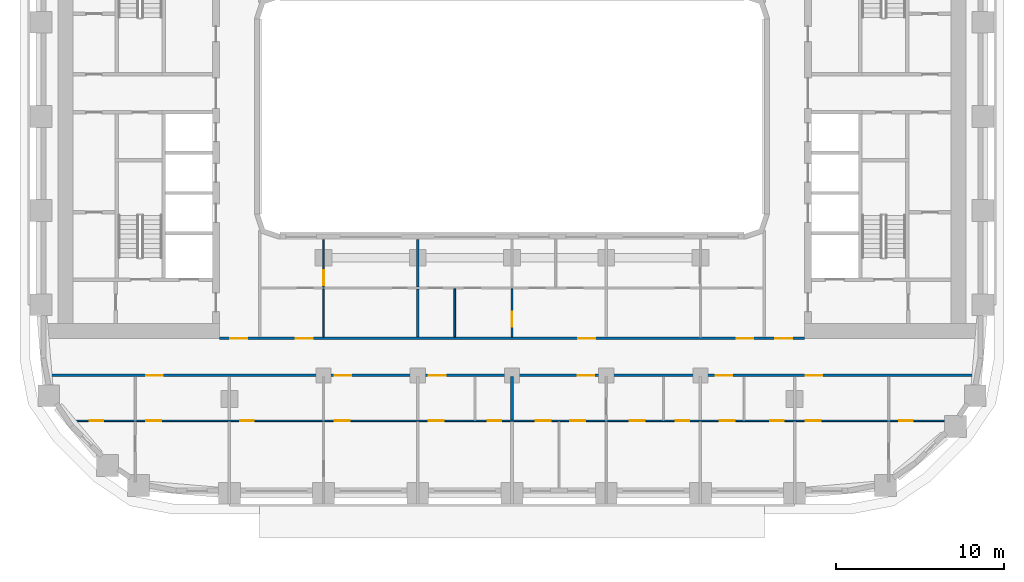
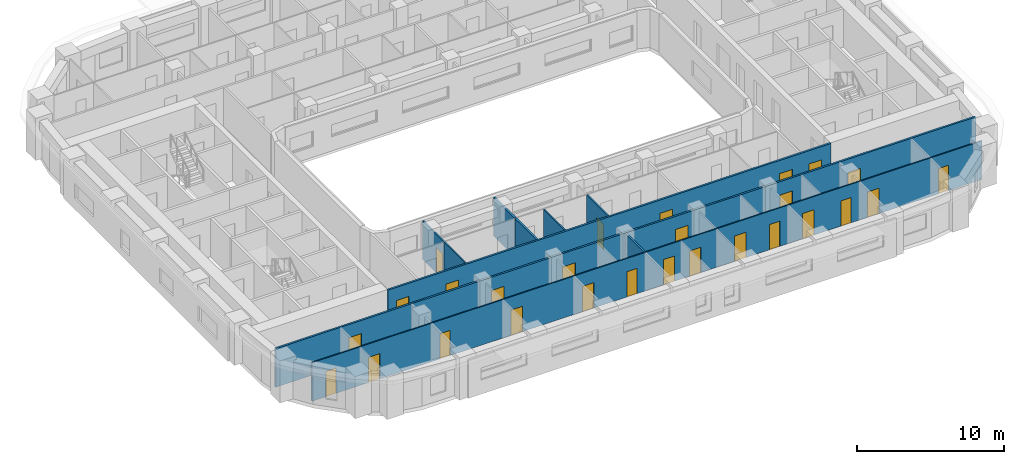
# One storey, part 3 of 21: 27 doors, 10 walls, 27 openings.
"""IFC4 building model written with IfcOpenShell, lengths in metres."""

from ifc_helpers import new_model, si_unit, direction, frame, frame_2d, origin, place, context, subcontext, project, spatial, rectangle, extrude, material, layer, layer_set, type_object, element, fill, save


model = new_model("IFC4")

# Units and contexts
model_context = context("Model", 3, precision=1e-05, world=origin(), true_north=direction((0.0, 1.0)))
body_context = subcontext(model_context, "Body", "Model", "MODEL_VIEW")
ifc_project = project(units=[si_unit("LENGTHUNIT", "METRE"), si_unit("AREAUNIT", "SQUARE_METRE"), si_unit("VOLUMEUNIT", "CUBIC_METRE"), si_unit("PLANEANGLEUNIT", "RADIAN"), si_unit("MASSUNIT", "GRAM", prefix="KILO")], contexts=[model_context])

# Site, building, storey
site_placement = place(None, origin())
site = spatial("IfcSite", under=ifc_project, at=site_placement, CompositionType="ELEMENT")
building_placement = place(site_placement, origin())
building = spatial("IfcBuilding", under=site, at=building_placement, Name="Kiln Ring Residences", CompositionType="ELEMENT")
storey_placement = place(building_placement, frame((0.0, 0.0, 100.800048828125)))
storey = spatial("IfcBuildingStorey", under=building, at=storey_placement, Name="L25", CompositionType="ELEMENT", Elevation=100.800048828125)

# Wall, openings, doors
ifc_material_1 = material(Name="Gypsum board on steel studs", Category="steel")
ifc_layer_1 = layer(ifc_material_1, 0.10009765625)
ifc_layer_set_1 = layer_set([ifc_layer_1], Name="PARTITION-100")
wall_type_1 = type_object("IfcWallType", Name="PARTITION-100", PredefinedType="PARTITIONING", material=ifc_layer_set_1)
wall_1_placement = place(storey_placement, frame((-26.190185546875, -18.10009765625, 0.0), z_axis=(0.0, 0.0, 1.0), x_axis=(1.0, 0.0, 0.0)))
wall_1 = element("IfcWall", 1, at=wall_1_placement, inside=storey, type_object=wall_type_1, Name="Partition 000", PredefinedType="PARTITIONING", context=body_context, shape_type="SweptSolid", body=[
    extrude(rectangle(XDim=52.630126953125, YDim=0.10009765625, at=frame_2d((26.31494140625, 0.0))), origin(), (0.0, 0.0, 1.0), 3.199951171875),
])
opening_1_placement = place(wall_1_placement, frame((1.090087890625, 0.0, 0.0)))
opening_1 = element("IfcOpeningElement", 2, at=opening_1_placement, cuts=wall_1, Name="Opening L25-D058", PredefinedType="OPENING", context=body_context, shape_type="SweptSolid", body=[
    extrude(rectangle(XDim=0.800048828125, YDim=2.10009765625, at=frame_2d((0.39990234375, 1.050048828125))), frame((0.0, 0.06005859375, 0.0), z_axis=(0.0, -1.0, 0.0), x_axis=(1.0, 0.0, 0.0)), (0.0, 0.0, 1.0), 0.1201171875),
])
opening_2_placement = place(wall_1_placement, frame((4.440185546875, 0.0, 0.0)))
opening_2 = element("IfcOpeningElement", 3, at=opening_2_placement, cuts=wall_1, Name="Opening L25-D059", PredefinedType="OPENING", context=body_context, shape_type="SweptSolid", body=[
    extrude(rectangle(XDim=0.89990234375, YDim=2.10009765625, at=frame_2d((0.449951171875, 1.050048828125))), frame((0.0, 0.06005859375, 0.0), z_axis=(0.0, -1.0, 0.0), x_axis=(1.0, 0.0, 0.0)), (0.0, 0.0, 1.0), 0.1201171875),
])
opening_3_placement = place(wall_1_placement, frame((10.0400390625, 0.0, 0.0)))
opening_3 = element("IfcOpeningElement", 4, at=opening_3_placement, cuts=wall_1, Name="Opening L25-D062", PredefinedType="OPENING", context=body_context, shape_type="SweptSolid", body=[
    extrude(rectangle(XDim=0.800048828125, YDim=2.10009765625, at=frame_2d((0.39990234375, 1.050048828125))), frame((0.0, 0.06005859375, 0.0), z_axis=(0.0, -1.0, 0.0), x_axis=(1.0, 0.0, 0.0)), (0.0, 0.0, 1.0), 0.1201171875),
])
opening_4_placement = place(wall_1_placement, frame((15.64013671875, 0.0, 0.0)))
opening_4 = element("IfcOpeningElement", 5, at=opening_4_placement, cuts=wall_1, Name="Opening L25-D063", PredefinedType="OPENING", context=body_context, shape_type="SweptSolid", body=[
    extrude(rectangle(XDim=0.89990234375, YDim=2.10009765625, at=frame_2d((0.449951171875, 1.050048828125))), frame((0.0, 0.06005859375, 0.0), z_axis=(0.0, -1.0, 0.0), x_axis=(1.0, 0.0, 0.0)), (0.0, 0.0, 1.0), 0.1201171875),
])
opening_5_placement = place(wall_1_placement, frame((24.739990234375, 0.0, 0.0)))
opening_5 = element("IfcOpeningElement", 6, at=opening_5_placement, cuts=wall_1, Name="Opening L25-D066", PredefinedType="OPENING", context=body_context, shape_type="SweptSolid", body=[
    extrude(rectangle(XDim=0.800048828125, YDim=2.10009765625, at=frame_2d((0.39990234375, 1.050048828125))), frame((0.0, 0.06005859375, 0.0), z_axis=(0.0, -1.0, 0.0), x_axis=(1.0, 0.0, 0.0)), (0.0, 0.0, 1.0), 0.1201171875),
])
opening_6_placement = place(wall_1_placement, frame((21.239990234375, 0.0, 0.0)))
opening_6 = element("IfcOpeningElement", 7, at=opening_6_placement, cuts=wall_1, Name="Opening L25-D067", PredefinedType="OPENING", context=body_context, shape_type="SweptSolid", body=[
    extrude(rectangle(XDim=0.89990234375, YDim=2.10009765625, at=frame_2d((0.449951171875, 1.050048828125))), frame((0.0, 0.06005859375, 0.0), z_axis=(0.0, -1.0, 0.0), x_axis=(1.0, 0.0, 0.0)), (0.0, 0.0, 1.0), 0.1201171875),
])
opening_7_placement = place(wall_1_placement, frame((35.940185546875, 0.0, 0.0)))
opening_7 = element("IfcOpeningElement", 8, at=opening_7_placement, cuts=wall_1, Name="Opening L25-D070", PredefinedType="OPENING", context=body_context, shape_type="SweptSolid", body=[
    extrude(rectangle(XDim=0.800048828125, YDim=2.10009765625, at=frame_2d((0.39990234375, 1.050048828125))), frame((0.0, 0.06005859375, 0.0), z_axis=(0.0, -1.0, 0.0), x_axis=(1.0, 0.0, 0.0)), (0.0, 0.0, 1.0), 0.1201171875),
])
opening_8_placement = place(wall_1_placement, frame((33.190185546875, 0.0, 0.0)))
opening_8 = element("IfcOpeningElement", 9, at=opening_8_placement, cuts=wall_1, Name="Opening L25-D071", PredefinedType="OPENING", context=body_context, shape_type="SweptSolid", body=[
    extrude(rectangle(XDim=0.89990234375, YDim=2.10009765625, at=frame_2d((0.449951171875, 1.050048828125))), frame((0.0, 0.06005859375, 0.0), z_axis=(0.0, -1.0, 0.0), x_axis=(1.0, 0.0, 0.0)), (0.0, 0.0, 1.0), 0.1201171875),
])
opening_9_placement = place(wall_1_placement, frame((27.590087890625, 0.0, 0.0)))
opening_9 = element("IfcOpeningElement", 10, at=opening_9_placement, cuts=wall_1, Name="Opening L25-D072", PredefinedType="OPENING", context=body_context, shape_type="SweptSolid", body=[
    extrude(rectangle(XDim=0.89990234375, YDim=2.10009765625, at=frame_2d((0.449951171875, 1.050048828125))), frame((0.0, 0.06005859375, 0.0), z_axis=(0.0, -1.0, 0.0), x_axis=(1.0, 0.0, 0.0)), (0.0, 0.0, 1.0), 0.1201171875),
])
opening_10_placement = place(wall_1_placement, frame((29.64013671875, 0.0, 0.0)))
opening_10 = element("IfcOpeningElement", 11, at=opening_10_placement, cuts=wall_1, Name="Opening L25-D073", PredefinedType="OPENING", context=body_context, shape_type="SweptSolid", body=[
    extrude(rectangle(XDim=0.89990234375, YDim=2.10009765625, at=frame_2d((0.449951171875, 1.050048828125))), frame((0.0, 0.06005859375, 0.0), z_axis=(0.0, -1.0, 0.0), x_axis=(1.0, 0.0, 0.0)), (0.0, 0.0, 1.0), 0.1201171875),
])
opening_11_placement = place(wall_1_placement, frame((41.5400390625, 0.0, 0.0)))
opening_11 = element("IfcOpeningElement", 12, at=opening_11_placement, cuts=wall_1, Name="Opening L25-D075", PredefinedType="OPENING", context=body_context, shape_type="SweptSolid", body=[
    extrude(rectangle(XDim=0.800048828125, YDim=2.10009765625, at=frame_2d((0.39990234375, 1.050048828125))), frame((0.0, 0.06005859375, 0.0), z_axis=(0.0, -1.0, 0.0), x_axis=(1.0, 0.0, 0.0)), (0.0, 0.0, 1.0), 0.1201171875),
])
opening_12_placement = place(wall_1_placement, frame((38.5400390625, 0.0, 0.0)))
opening_12 = element("IfcOpeningElement", 13, at=opening_12_placement, cuts=wall_1, Name="Opening L25-D076", PredefinedType="OPENING", context=body_context, shape_type="SweptSolid", body=[
    extrude(rectangle(XDim=0.89990234375, YDim=2.10009765625, at=frame_2d((0.449951171875, 1.050048828125))), frame((0.0, 0.06005859375, 0.0), z_axis=(0.0, -1.0, 0.0), x_axis=(1.0, 0.0, 0.0)), (0.0, 0.0, 1.0), 0.1201171875),
])
opening_13_placement = place(wall_1_placement, frame((49.2041015625, 0.0, 0.0)))
opening_13 = element("IfcOpeningElement", 14, at=opening_13_placement, cuts=wall_1, Name="Opening L25-D078", PredefinedType="OPENING", context=body_context, shape_type="SweptSolid", body=[
    extrude(rectangle(XDim=0.800048828125, YDim=2.10009765625, at=frame_2d((0.39990234375, 1.050048828125))), frame((0.0, 0.06005859375, 0.0), z_axis=(0.0, -1.0, 0.0), x_axis=(1.0, 0.0, 0.0)), (0.0, 0.0, 1.0), 0.1201171875),
])
opening_14_placement = place(wall_1_placement, frame((43.64013671875, 0.0, 0.0)))
opening_14 = element("IfcOpeningElement", 15, at=opening_14_placement, cuts=wall_1, Name="Opening L25-D079", PredefinedType="OPENING", context=body_context, shape_type="SweptSolid", body=[
    extrude(rectangle(XDim=0.89990234375, YDim=2.10009765625, at=frame_2d((0.449951171875, 1.050048828125))), frame((0.0, 0.06005859375, 0.0), z_axis=(0.0, -1.0, 0.0), x_axis=(1.0, 0.0, 0.0)), (0.0, 0.0, 1.0), 0.1201171875),
])
ifc_material_2 = material(Name="Timber door leaf", Category="wood")
door_type_1 = type_object("IfcDoorType", Name="FLAT-DOOR-800-PL", OperationType="SINGLE_SWING_LEFT", PredefinedType="DOOR", material=ifc_material_2)
door_1_placement = place(opening_1_placement, origin())
door_1 = element("IfcDoor", 16, at=door_1_placement, inside=storey, type_object=door_type_1, Name="Door L25-D058", OperationType="SINGLE_SWING_RIGHT", OverallHeight=2.10009765625, OverallWidth=0.800048828125, PredefinedType="DOOR", context=body_context, shape_type="SweptSolid", body=[
    extrude(rectangle(XDim=0.800048828125, YDim=2.10009765625, at=frame_2d((0.39990234375, 1.050048828125))), frame((0.0, 0.02490234375, 0.0), z_axis=(0.0, -1.0, 0.0), x_axis=(1.0, 0.0, 0.0)), (0.0, 0.0, 1.0), 0.050048828125),
])
fill(opening_1, door_1)
door_2_placement = place(opening_3_placement, origin())
door_2 = element("IfcDoor", 17, at=door_2_placement, inside=storey, type_object=door_type_1, Name="Door L25-D062", OperationType="SINGLE_SWING_RIGHT", OverallHeight=2.10009765625, OverallWidth=0.800048828125, PredefinedType="DOOR", context=body_context, shape_type="SweptSolid", body=[
    extrude(rectangle(XDim=0.800048828125, YDim=2.10009765625, at=frame_2d((0.39990234375, 1.050048828125))), frame((0.0, 0.02490234375, 0.0), z_axis=(0.0, -1.0, 0.0), x_axis=(1.0, 0.0, 0.0)), (0.0, 0.0, 1.0), 0.050048828125),
])
fill(opening_3, door_2)
door_3_placement = place(opening_5_placement, origin())
door_3 = element("IfcDoor", 18, at=door_3_placement, inside=storey, type_object=door_type_1, Name="Door L25-D066", OperationType="SINGLE_SWING_RIGHT", OverallHeight=2.10009765625, OverallWidth=0.800048828125, PredefinedType="DOOR", context=body_context, shape_type="SweptSolid", body=[
    extrude(rectangle(XDim=0.800048828125, YDim=2.10009765625, at=frame_2d((0.39990234375, 1.050048828125))), frame((0.0, 0.02490234375, 0.0), z_axis=(0.0, -1.0, 0.0), x_axis=(1.0, 0.0, 0.0)), (0.0, 0.0, 1.0), 0.050048828125),
])
fill(opening_5, door_3)
door_4_placement = place(opening_7_placement, origin())
door_4 = element("IfcDoor", 19, at=door_4_placement, inside=storey, type_object=door_type_1, Name="Door L25-D070", OperationType="SINGLE_SWING_RIGHT", OverallHeight=2.10009765625, OverallWidth=0.800048828125, PredefinedType="DOOR", context=body_context, shape_type="SweptSolid", body=[
    extrude(rectangle(XDim=0.800048828125, YDim=2.10009765625, at=frame_2d((0.39990234375, 1.050048828125))), frame((0.0, 0.02490234375, 0.0), z_axis=(0.0, -1.0, 0.0), x_axis=(1.0, 0.0, 0.0)), (0.0, 0.0, 1.0), 0.050048828125),
])
fill(opening_7, door_4)
door_5_placement = place(opening_11_placement, origin())
door_5 = element("IfcDoor", 20, at=door_5_placement, inside=storey, type_object=door_type_1, Name="Door L25-D075", OperationType="SINGLE_SWING_LEFT", OverallHeight=2.10009765625, OverallWidth=0.800048828125, PredefinedType="DOOR", context=body_context, shape_type="SweptSolid", body=[
    extrude(rectangle(XDim=0.800048828125, YDim=2.10009765625, at=frame_2d((0.39990234375, 1.050048828125))), frame((0.0, 0.02490234375, 0.0), z_axis=(0.0, -1.0, 0.0), x_axis=(1.0, 0.0, 0.0)), (0.0, 0.0, 1.0), 0.050048828125),
])
fill(opening_11, door_5)
door_6_placement = place(opening_13_placement, origin())
door_6 = element("IfcDoor", 21, at=door_6_placement, inside=storey, type_object=door_type_1, Name="Door L25-D078", OperationType="SINGLE_SWING_RIGHT", OverallHeight=2.10009765625, OverallWidth=0.800048828125, PredefinedType="DOOR", context=body_context, shape_type="SweptSolid", body=[
    extrude(rectangle(XDim=0.800048828125, YDim=2.10009765625, at=frame_2d((0.39990234375, 1.050048828125))), frame((0.0, 0.02490234375, 0.0), z_axis=(0.0, -1.0, 0.0), x_axis=(1.0, 0.0, 0.0)), (0.0, 0.0, 1.0), 0.050048828125),
])
fill(opening_13, door_6)
ifc_material_3 = material(Name="Timber door leaf", Category="wood")
door_type_2 = type_object("IfcDoorType", Name="FLAT-DOOR-900-PL", OperationType="SINGLE_SWING_LEFT", PredefinedType="DOOR", material=ifc_material_3)
door_7_placement = place(opening_2_placement, origin())
door_7 = element("IfcDoor", 22, at=door_7_placement, inside=storey, type_object=door_type_2, Name="Door L25-D059", OperationType="SINGLE_SWING_LEFT", OverallHeight=2.10009765625, OverallWidth=0.89990234375, PredefinedType="DOOR", context=body_context, shape_type="SweptSolid", body=[
    extrude(rectangle(XDim=0.89990234375, YDim=2.10009765625, at=frame_2d((0.449951171875, 1.050048828125))), frame((0.0, 0.02490234375, 0.0), z_axis=(0.0, -1.0, 0.0), x_axis=(1.0, 0.0, 0.0)), (0.0, 0.0, 1.0), 0.050048828125),
])
fill(opening_2, door_7)
door_8_placement = place(opening_4_placement, origin())
door_8 = element("IfcDoor", 23, at=door_8_placement, inside=storey, type_object=door_type_2, Name="Door L25-D063", OperationType="SINGLE_SWING_LEFT", OverallHeight=2.10009765625, OverallWidth=0.89990234375, PredefinedType="DOOR", context=body_context, shape_type="SweptSolid", body=[
    extrude(rectangle(XDim=0.89990234375, YDim=2.10009765625, at=frame_2d((0.449951171875, 1.050048828125))), frame((0.0, 0.02490234375, 0.0), z_axis=(0.0, -1.0, 0.0), x_axis=(1.0, 0.0, 0.0)), (0.0, 0.0, 1.0), 0.050048828125),
])
fill(opening_4, door_8)
door_9_placement = place(opening_6_placement, origin())
door_9 = element("IfcDoor", 24, at=door_9_placement, inside=storey, type_object=door_type_2, Name="Door L25-D067", OperationType="SINGLE_SWING_LEFT", OverallHeight=2.10009765625, OverallWidth=0.89990234375, PredefinedType="DOOR", context=body_context, shape_type="SweptSolid", body=[
    extrude(rectangle(XDim=0.89990234375, YDim=2.10009765625, at=frame_2d((0.449951171875, 1.050048828125))), frame((0.0, 0.02490234375, 0.0), z_axis=(0.0, -1.0, 0.0), x_axis=(1.0, 0.0, 0.0)), (0.0, 0.0, 1.0), 0.050048828125),
])
fill(opening_6, door_9)
door_10_placement = place(opening_8_placement, origin())
door_10 = element("IfcDoor", 25, at=door_10_placement, inside=storey, type_object=door_type_2, Name="Door L25-D071", OperationType="SINGLE_SWING_LEFT", OverallHeight=2.10009765625, OverallWidth=0.89990234375, PredefinedType="DOOR", context=body_context, shape_type="SweptSolid", body=[
    extrude(rectangle(XDim=0.89990234375, YDim=2.10009765625, at=frame_2d((0.449951171875, 1.050048828125))), frame((0.0, 0.02490234375, 0.0), z_axis=(0.0, -1.0, 0.0), x_axis=(1.0, 0.0, 0.0)), (0.0, 0.0, 1.0), 0.050048828125),
])
fill(opening_8, door_10)
door_11_placement = place(opening_9_placement, origin())
door_11 = element("IfcDoor", 26, at=door_11_placement, inside=storey, type_object=door_type_2, Name="Door L25-D072", OperationType="SINGLE_SWING_RIGHT", OverallHeight=2.10009765625, OverallWidth=0.89990234375, PredefinedType="DOOR", context=body_context, shape_type="SweptSolid", body=[
    extrude(rectangle(XDim=0.89990234375, YDim=2.10009765625, at=frame_2d((0.449951171875, 1.050048828125))), frame((0.0, 0.02490234375, 0.0), z_axis=(0.0, -1.0, 0.0), x_axis=(1.0, 0.0, 0.0)), (0.0, 0.0, 1.0), 0.050048828125),
])
fill(opening_9, door_11)
door_12_placement = place(opening_10_placement, origin())
door_12 = element("IfcDoor", 27, at=door_12_placement, inside=storey, type_object=door_type_2, Name="Door L25-D073", OperationType="SINGLE_SWING_LEFT", OverallHeight=2.10009765625, OverallWidth=0.89990234375, PredefinedType="DOOR", context=body_context, shape_type="SweptSolid", body=[
    extrude(rectangle(XDim=0.89990234375, YDim=2.10009765625, at=frame_2d((0.449951171875, 1.050048828125))), frame((0.0, 0.02490234375, 0.0), z_axis=(0.0, -1.0, 0.0), x_axis=(1.0, 0.0, 0.0)), (0.0, 0.0, 1.0), 0.050048828125),
])
fill(opening_10, door_12)
door_13_placement = place(opening_12_placement, origin())
door_13 = element("IfcDoor", 28, at=door_13_placement, inside=storey, type_object=door_type_2, Name="Door L25-D076", OperationType="SINGLE_SWING_RIGHT", OverallHeight=2.10009765625, OverallWidth=0.89990234375, PredefinedType="DOOR", context=body_context, shape_type="SweptSolid", body=[
    extrude(rectangle(XDim=0.89990234375, YDim=2.10009765625, at=frame_2d((0.449951171875, 1.050048828125))), frame((0.0, 0.02490234375, 0.0), z_axis=(0.0, -1.0, 0.0), x_axis=(1.0, 0.0, 0.0)), (0.0, 0.0, 1.0), 0.050048828125),
])
fill(opening_12, door_13)
door_14_placement = place(opening_14_placement, origin())
door_14 = element("IfcDoor", 29, at=door_14_placement, inside=storey, type_object=door_type_2, Name="Door L25-D079", OperationType="SINGLE_SWING_LEFT", OverallHeight=2.10009765625, OverallWidth=0.89990234375, PredefinedType="DOOR", context=body_context, shape_type="SweptSolid", body=[
    extrude(rectangle(XDim=0.89990234375, YDim=2.10009765625, at=frame_2d((0.449951171875, 1.050048828125))), frame((0.0, 0.02490234375, 0.0), z_axis=(0.0, -1.0, 0.0), x_axis=(1.0, 0.0, 0.0)), (0.0, 0.0, 1.0), 0.050048828125),
])
fill(opening_14, door_14)

# Wall
wall_2_placement = place(storey_placement, frame((-11.199951171875, -13.125, 0.0), z_axis=(0.0, 0.0, 1.0), x_axis=(0.0, 1.0, 0.0)))
element("IfcWall", 30, at=wall_2_placement, inside=storey, type_object=wall_type_1, Name="Partition 021", PredefinedType="PARTITIONING", context=body_context, shape_type="SweptSolid", body=[
    extrude(rectangle(XDim=2.875, YDim=0.10009765625, at=frame_2d((1.4375, 0.0))), origin(), (0.0, 0.0, 1.0), 3.199951171875),
])

# Wall, opening, door
wall_3_placement = place(storey_placement, frame((-11.199951171875, -10.14990234375, 0.0), z_axis=(0.0, 0.0, 1.0), x_axis=(0.0, 1.0, 0.0)))
wall_3 = element("IfcWall", 31, at=wall_3_placement, inside=storey, type_object=wall_type_1, Name="Partition 022", PredefinedType="PARTITIONING", context=body_context, shape_type="SweptSolid", body=[
    extrude(rectangle(XDim=2.829833984375, YDim=0.10009765625, at=frame_2d((1.4150390625, 0.0))), origin(), (0.0, 0.0, 1.0), 3.199951171875),
])
opening_15_placement = place(wall_3_placement, frame((0.10009765625, 0.0, 0.0)))
opening_15 = element("IfcOpeningElement", 32, at=opening_15_placement, cuts=wall_3, Name="Opening L25-D046", PredefinedType="OPENING", context=body_context, shape_type="SweptSolid", body=[
    extrude(rectangle(XDim=0.89990234375, YDim=2.10009765625, at=frame_2d((0.449951171875, 1.050048828125))), frame((0.0, 0.06005859375, 0.0), z_axis=(0.0, -1.0, 0.0), x_axis=(1.0, 0.0, 0.0)), (0.0, 0.0, 1.0), 0.1201171875),
])
door_15_placement = place(opening_15_placement, origin())
door_15 = element("IfcDoor", 33, at=door_15_placement, inside=storey, type_object=door_type_2, Name="Door L25-D046", OperationType="SINGLE_SWING_LEFT", OverallHeight=2.10009765625, OverallWidth=0.89990234375, PredefinedType="DOOR", context=body_context, shape_type="SweptSolid", body=[
    extrude(rectangle(XDim=0.89990234375, YDim=2.10009765625, at=frame_2d((0.449951171875, 1.050048828125))), frame((0.0, 0.02490234375, 0.0), z_axis=(0.0, -1.0, 0.0), x_axis=(1.0, 0.0, 0.0)), (0.0, 0.0, 1.0), 0.050048828125),
])
fill(opening_15, door_15)

# Wall
wall_4_placement = place(storey_placement, frame((-3.39990234375, -13.125, 0.0), z_axis=(0.0, 0.0, 1.0), x_axis=(0.0, 1.0, 0.0)))
element("IfcWall", 34, at=wall_4_placement, inside=storey, type_object=wall_type_1, Name="Partition 036", PredefinedType="PARTITIONING", context=body_context, shape_type="SweptSolid", body=[
    extrude(rectangle(XDim=2.875, YDim=0.10009765625, at=frame_2d((1.4375, 0.0))), origin(), (0.0, 0.0, 1.0), 3.199951171875),
])

# Wall, opening, door
wall_5_placement = place(storey_placement, frame((0.0, -13.125, 0.0), z_axis=(0.0, 0.0, 1.0), x_axis=(0.0, 1.0, 0.0)))
wall_5 = element("IfcWall", 35, at=wall_5_placement, inside=storey, type_object=wall_type_1, Name="Partition 040", PredefinedType="PARTITIONING", context=body_context, shape_type="SweptSolid", body=[
    extrude(rectangle(XDim=2.875, YDim=0.10009765625, at=frame_2d((1.4375, 0.0))), origin(), (0.0, 0.0, 1.0), 3.199951171875),
])
opening_16_placement = place(wall_5_placement, frame((0.625, 0.0, 0.0)))
opening_16 = element("IfcOpeningElement", 36, at=opening_16_placement, cuts=wall_5, Name="Opening L25-D048", PredefinedType="OPENING", context=body_context, shape_type="SweptSolid", body=[
    extrude(rectangle(XDim=0.89990234375, YDim=2.10009765625, at=frame_2d((0.449951171875, 1.050048828125))), frame((0.0, 0.06005859375, 0.0), z_axis=(0.0, -1.0, 0.0), x_axis=(1.0, 0.0, 0.0)), (0.0, 0.0, 1.0), 0.1201171875),
])
door_16_placement = place(opening_16_placement, origin())
door_16 = element("IfcDoor", 37, at=door_16_placement, inside=storey, type_object=door_type_2, Name="Door L25-D048", OperationType="SINGLE_SWING_RIGHT", OverallHeight=2.10009765625, OverallWidth=0.89990234375, PredefinedType="DOOR", context=body_context, shape_type="SweptSolid", body=[
    extrude(rectangle(XDim=0.89990234375, YDim=2.10009765625, at=frame_2d((0.449951171875, 1.050048828125))), frame((0.0, 0.02490234375, 0.0), z_axis=(0.0, -1.0, 0.0), x_axis=(1.0, 0.0, 0.0)), (0.0, 0.0, 1.0), 0.050048828125),
])
fill(opening_16, door_16)

# Wall, openings, doors
ifc_material_4 = material(Name="Brick masonry partition", Category="masonry")
ifc_layer_2 = layer(ifc_material_4, 0.14990234375)
ifc_layer_set_2 = layer_set([ifc_layer_2], Name="PARTITION-150-ei60")
wall_type_2 = type_object("IfcWallType", Name="PARTITION-150-ei60", PredefinedType="PARTITIONING", material=ifc_layer_set_2)
wall_6_placement = place(storey_placement, frame((-27.48388671875, -15.39990234375, 0.0), z_axis=(0.0, 0.0, 1.0), x_axis=(1.0, 0.0, 0.0)))
wall_6 = element("IfcWall", 38, at=wall_6_placement, inside=storey, type_object=wall_type_2, Name="Partition 001", PredefinedType="PARTITIONING", context=body_context, shape_type="SweptSolid", body=[
    extrude(rectangle(XDim=54.9677734375, YDim=0.14990234375, at=frame_2d((27.48388671875, 0.0))), origin(), (0.0, 0.0, 1.0), 3.199951171875),
])
opening_17_placement = place(wall_6_placement, frame((5.73388671875, 0.0, 0.0)))
opening_17 = element("IfcOpeningElement", 39, at=opening_17_placement, cuts=wall_6, Name="Opening L25-D057", PredefinedType="OPENING", context=body_context, shape_type="SweptSolid", body=[
    extrude(rectangle(XDim=1.0, YDim=2.10009765625, at=frame_2d((0.5, 1.050048828125))), frame((0.0, 0.0849609375, 0.0), z_axis=(0.0, -1.0, 0.0), x_axis=(1.0, 0.0, 0.0)), (0.0, 0.0, 1.0), 0.169921875),
])
opening_18_placement = place(wall_6_placement, frame((16.933837890625, 0.0, 0.0)))
opening_18 = element("IfcOpeningElement", 40, at=opening_18_placement, cuts=wall_6, Name="Opening L25-D061", PredefinedType="OPENING", context=body_context, shape_type="SweptSolid", body=[
    extrude(rectangle(XDim=1.0, YDim=2.10009765625, at=frame_2d((0.5, 1.050048828125))), frame((0.0, 0.0849609375, 0.0), z_axis=(0.0, -1.0, 0.0), x_axis=(1.0, 0.0, 0.0)), (0.0, 0.0, 1.0), 0.169921875),
])
opening_19_placement = place(wall_6_placement, frame((22.53369140625, 0.0, 0.0)))
opening_19 = element("IfcOpeningElement", 41, at=opening_19_placement, cuts=wall_6, Name="Opening L25-D065", PredefinedType="OPENING", context=body_context, shape_type="SweptSolid", body=[
    extrude(rectangle(XDim=1.0, YDim=2.10009765625, at=frame_2d((0.5, 1.050048828125))), frame((0.0, 0.0849609375, 0.0), z_axis=(0.0, -1.0, 0.0), x_axis=(1.0, 0.0, 0.0)), (0.0, 0.0, 1.0), 0.169921875),
])
opening_20_placement = place(wall_6_placement, frame((31.3837890625, 0.0, 0.0)))
opening_20 = element("IfcOpeningElement", 42, at=opening_20_placement, cuts=wall_6, Name="Opening L25-D068", PredefinedType="OPENING", context=body_context, shape_type="SweptSolid", body=[
    extrude(rectangle(XDim=1.0, YDim=2.10009765625, at=frame_2d((0.5, 1.050048828125))), frame((0.0, 0.0849609375, 0.0), z_axis=(0.0, -1.0, 0.0), x_axis=(1.0, 0.0, 0.0)), (0.0, 0.0, 1.0), 0.169921875),
])
opening_21_placement = place(wall_6_placement, frame((39.583740234375, 0.0, 0.0)))
opening_21 = element("IfcOpeningElement", 43, at=opening_21_placement, cuts=wall_6, Name="Opening L25-D074", PredefinedType="OPENING", context=body_context, shape_type="SweptSolid", body=[
    extrude(rectangle(XDim=1.0, YDim=2.10009765625, at=frame_2d((0.5, 1.050048828125))), frame((0.0, 0.0849609375, 0.0), z_axis=(0.0, -1.0, 0.0), x_axis=(1.0, 0.0, 0.0)), (0.0, 0.0, 1.0), 0.169921875),
])
opening_22_placement = place(wall_6_placement, frame((44.933837890625, 0.0, 0.0)))
opening_22 = element("IfcOpeningElement", 44, at=opening_22_placement, cuts=wall_6, Name="Opening L25-D077", PredefinedType="OPENING", context=body_context, shape_type="SweptSolid", body=[
    extrude(rectangle(XDim=1.0, YDim=2.10009765625, at=frame_2d((0.5, 1.050048828125))), frame((0.0, 0.0849609375, 0.0), z_axis=(0.0, -1.0, 0.0), x_axis=(1.0, 0.0, 0.0)), (0.0, 0.0, 1.0), 0.169921875),
])
ifc_material_5 = material(Name="Steel faced fire door leaf", Category="steel")
door_type_3 = type_object("IfcDoorType", Name="FLAT-DOOR-1000-FR", OperationType="SINGLE_SWING_LEFT", PredefinedType="DOOR", material=ifc_material_5)
door_17_placement = place(opening_17_placement, origin())
door_17 = element("IfcDoor", 45, at=door_17_placement, inside=storey, type_object=door_type_3, Name="Door L25-D057", OperationType="SINGLE_SWING_LEFT", OverallHeight=2.10009765625, OverallWidth=1.0, PredefinedType="DOOR", context=body_context, shape_type="SweptSolid", body=[
    extrude(rectangle(XDim=1.0, YDim=2.10009765625, at=frame_2d((0.5, 1.050048828125))), frame((0.0, 0.02490234375, 0.0), z_axis=(0.0, -1.0, 0.0), x_axis=(1.0, 0.0, 0.0)), (0.0, 0.0, 1.0), 0.050048828125),
])
fill(opening_17, door_17)
door_18_placement = place(opening_18_placement, origin())
door_18 = element("IfcDoor", 46, at=door_18_placement, inside=storey, type_object=door_type_3, Name="Door L25-D061", OperationType="SINGLE_SWING_LEFT", OverallHeight=2.10009765625, OverallWidth=1.0, PredefinedType="DOOR", context=body_context, shape_type="SweptSolid", body=[
    extrude(rectangle(XDim=1.0, YDim=2.10009765625, at=frame_2d((0.5, 1.050048828125))), frame((0.0, 0.02490234375, 0.0), z_axis=(0.0, -1.0, 0.0), x_axis=(1.0, 0.0, 0.0)), (0.0, 0.0, 1.0), 0.050048828125),
])
fill(opening_18, door_18)
door_19_placement = place(opening_19_placement, origin())
door_19 = element("IfcDoor", 47, at=door_19_placement, inside=storey, type_object=door_type_3, Name="Door L25-D065", OperationType="SINGLE_SWING_LEFT", OverallHeight=2.10009765625, OverallWidth=1.0, PredefinedType="DOOR", context=body_context, shape_type="SweptSolid", body=[
    extrude(rectangle(XDim=1.0, YDim=2.10009765625, at=frame_2d((0.5, 1.050048828125))), frame((0.0, 0.02490234375, 0.0), z_axis=(0.0, -1.0, 0.0), x_axis=(1.0, 0.0, 0.0)), (0.0, 0.0, 1.0), 0.050048828125),
])
fill(opening_19, door_19)
door_20_placement = place(opening_20_placement, origin())
door_20 = element("IfcDoor", 48, at=door_20_placement, inside=storey, type_object=door_type_3, Name="Door L25-D068", OperationType="SINGLE_SWING_RIGHT", OverallHeight=2.10009765625, OverallWidth=1.0, PredefinedType="DOOR", context=body_context, shape_type="SweptSolid", body=[
    extrude(rectangle(XDim=1.0, YDim=2.10009765625, at=frame_2d((0.5, 1.050048828125))), frame((0.0, 0.02490234375, 0.0), z_axis=(0.0, -1.0, 0.0), x_axis=(1.0, 0.0, 0.0)), (0.0, 0.0, 1.0), 0.050048828125),
])
fill(opening_20, door_20)
door_21_placement = place(opening_21_placement, origin())
door_21 = element("IfcDoor", 49, at=door_21_placement, inside=storey, type_object=door_type_3, Name="Door L25-D074", OperationType="SINGLE_SWING_RIGHT", OverallHeight=2.10009765625, OverallWidth=1.0, PredefinedType="DOOR", context=body_context, shape_type="SweptSolid", body=[
    extrude(rectangle(XDim=1.0, YDim=2.10009765625, at=frame_2d((0.5, 1.050048828125))), frame((0.0, 0.02490234375, 0.0), z_axis=(0.0, -1.0, 0.0), x_axis=(1.0, 0.0, 0.0)), (0.0, 0.0, 1.0), 0.050048828125),
])
fill(opening_21, door_21)
door_22_placement = place(opening_22_placement, origin())
door_22 = element("IfcDoor", 50, at=door_22_placement, inside=storey, type_object=door_type_3, Name="Door L25-D077", OperationType="SINGLE_SWING_LEFT", OverallHeight=2.10009765625, OverallWidth=1.0, PredefinedType="DOOR", context=body_context, shape_type="SweptSolid", body=[
    extrude(rectangle(XDim=1.0, YDim=2.10009765625, at=frame_2d((0.5, 1.050048828125))), frame((0.0, 0.02490234375, 0.0), z_axis=(0.0, -1.0, 0.0), x_axis=(1.0, 0.0, 0.0)), (0.0, 0.0, 1.0), 0.050048828125),
])
fill(opening_22, door_22)

wall_7_placement = place(storey_placement, frame((-17.39990234375, -13.199951171875, 0.0), z_axis=(0.0, 0.0, 1.0), x_axis=(1.0, 0.0, 0.0)))
wall_7 = element("IfcWall", 51, at=wall_7_placement, inside=storey, type_object=wall_type_2, Name="Partition 002", PredefinedType="PARTITIONING", context=body_context, shape_type="SweptSolid", body=[
    extrude(rectangle(XDim=34.7998046875, YDim=0.14990234375, at=frame_2d((17.39990234375, 0.0))), origin(), (0.0, 0.0, 1.0), 3.199951171875),
])
opening_23_placement = place(wall_7_placement, frame((0.64990234375, 0.0, 0.0)))
opening_23 = element("IfcOpeningElement", 52, at=opening_23_placement, cuts=wall_7, Name="Opening L25-D003", PredefinedType="OPENING", context=body_context, shape_type="SweptSolid", body=[
    extrude(rectangle(XDim=1.0, YDim=2.10009765625, at=frame_2d((0.5, 1.050048828125))), frame((0.0, 0.0849609375, 0.0), z_axis=(0.0, -1.0, 0.0), x_axis=(1.0, 0.0, 0.0)), (0.0, 0.0, 1.0), 0.169921875),
])
opening_24_placement = place(wall_7_placement, frame((33.050048828125, 0.0, 0.0)))
opening_24 = element("IfcOpeningElement", 53, at=opening_24_placement, cuts=wall_7, Name="Opening L25-D004", PredefinedType="OPENING", context=body_context, shape_type="SweptSolid", body=[
    extrude(rectangle(XDim=1.0, YDim=2.10009765625, at=frame_2d((0.5, 1.050048828125))), frame((0.0, 0.0849609375, 0.0), z_axis=(0.0, -1.0, 0.0), x_axis=(1.0, 0.0, 0.0)), (0.0, 0.0, 1.0), 0.169921875),
])
opening_25_placement = place(wall_7_placement, frame((4.550048828125, 0.0, 0.0)))
opening_25 = element("IfcOpeningElement", 54, at=opening_25_placement, cuts=wall_7, Name="Opening L25-D043", PredefinedType="OPENING", context=body_context, shape_type="SweptSolid", body=[
    extrude(rectangle(XDim=1.0, YDim=2.10009765625, at=frame_2d((0.5, 1.050048828125))), frame((0.0, 0.0849609375, 0.0), z_axis=(0.0, -1.0, 0.0), x_axis=(1.0, 0.0, 0.0)), (0.0, 0.0, 1.0), 0.169921875),
])
opening_26_placement = place(wall_7_placement, frame((21.35009765625, 0.0, 0.0)))
opening_26 = element("IfcOpeningElement", 55, at=opening_26_placement, cuts=wall_7, Name="Opening L25-D047", PredefinedType="OPENING", context=body_context, shape_type="SweptSolid", body=[
    extrude(rectangle(XDim=1.0, YDim=2.10009765625, at=frame_2d((0.5, 1.050048828125))), frame((0.0, 0.0849609375, 0.0), z_axis=(0.0, -1.0, 0.0), x_axis=(1.0, 0.0, 0.0)), (0.0, 0.0, 1.0), 0.169921875),
])
opening_27_placement = place(wall_7_placement, frame((30.75, 0.0, 0.0)))
opening_27 = element("IfcOpeningElement", 56, at=opening_27_placement, cuts=wall_7, Name="Opening L25-D053", PredefinedType="OPENING", context=body_context, shape_type="SweptSolid", body=[
    extrude(rectangle(XDim=1.0, YDim=2.10009765625, at=frame_2d((0.5, 1.050048828125))), frame((0.0, 0.0849609375, 0.0), z_axis=(0.0, -1.0, 0.0), x_axis=(1.0, 0.0, 0.0)), (0.0, 0.0, 1.0), 0.169921875),
])
door_23_placement = place(opening_23_placement, origin())
door_23 = element("IfcDoor", 57, at=door_23_placement, inside=storey, type_object=door_type_3, Name="Door L25-D003", OperationType="SINGLE_SWING_RIGHT", OverallHeight=2.10009765625, OverallWidth=1.0, PredefinedType="DOOR", context=body_context, shape_type="SweptSolid", body=[
    extrude(rectangle(XDim=1.0, YDim=2.10009765625, at=frame_2d((0.5, 1.050048828125))), frame((0.0, 0.02490234375, 0.0), z_axis=(0.0, -1.0, 0.0), x_axis=(1.0, 0.0, 0.0)), (0.0, 0.0, 1.0), 0.050048828125),
])
fill(opening_23, door_23)
door_24_placement = place(opening_24_placement, origin())
door_24 = element("IfcDoor", 58, at=door_24_placement, inside=storey, type_object=door_type_3, Name="Door L25-D004", OperationType="SINGLE_SWING_LEFT", OverallHeight=2.10009765625, OverallWidth=1.0, PredefinedType="DOOR", context=body_context, shape_type="SweptSolid", body=[
    extrude(rectangle(XDim=1.0, YDim=2.10009765625, at=frame_2d((0.5, 1.050048828125))), frame((0.0, 0.02490234375, 0.0), z_axis=(0.0, -1.0, 0.0), x_axis=(1.0, 0.0, 0.0)), (0.0, 0.0, 1.0), 0.050048828125),
])
fill(opening_24, door_24)
door_25_placement = place(opening_25_placement, origin())
door_25 = element("IfcDoor", 59, at=door_25_placement, inside=storey, type_object=door_type_3, Name="Door L25-D043", OperationType="SINGLE_SWING_LEFT", OverallHeight=2.10009765625, OverallWidth=1.0, PredefinedType="DOOR", context=body_context, shape_type="SweptSolid", body=[
    extrude(rectangle(XDim=1.0, YDim=2.10009765625, at=frame_2d((0.5, 1.050048828125))), frame((0.0, 0.02490234375, 0.0), z_axis=(0.0, -1.0, 0.0), x_axis=(1.0, 0.0, 0.0)), (0.0, 0.0, 1.0), 0.050048828125),
])
fill(opening_25, door_25)
door_26_placement = place(opening_26_placement, origin())
door_26 = element("IfcDoor", 60, at=door_26_placement, inside=storey, type_object=door_type_3, Name="Door L25-D047", OperationType="SINGLE_SWING_LEFT", OverallHeight=2.10009765625, OverallWidth=1.0, PredefinedType="DOOR", context=body_context, shape_type="SweptSolid", body=[
    extrude(rectangle(XDim=1.0, YDim=2.10009765625, at=frame_2d((0.5, 1.050048828125))), frame((0.0, 0.02490234375, 0.0), z_axis=(0.0, -1.0, 0.0), x_axis=(1.0, 0.0, 0.0)), (0.0, 0.0, 1.0), 0.050048828125),
])
fill(opening_26, door_26)
door_27_placement = place(opening_27_placement, origin())
door_27 = element("IfcDoor", 61, at=door_27_placement, inside=storey, type_object=door_type_3, Name="Door L25-D053", OperationType="SINGLE_SWING_LEFT", OverallHeight=2.10009765625, OverallWidth=1.0, PredefinedType="DOOR", context=body_context, shape_type="SweptSolid", body=[
    extrude(rectangle(XDim=1.0, YDim=2.10009765625, at=frame_2d((0.5, 1.050048828125))), frame((0.0, 0.02490234375, 0.0), z_axis=(0.0, -1.0, 0.0), x_axis=(1.0, 0.0, 0.0)), (0.0, 0.0, 1.0), 0.050048828125),
])
fill(opening_27, door_27)

# Walls
wall_8_placement = place(storey_placement, frame((-5.60009765625, -13.125, 0.0), z_axis=(0.0, 0.0, 1.0), x_axis=(0.0, 1.0, 0.0)))
element("IfcWall", 62, at=wall_8_placement, inside=storey, type_object=wall_type_2, Name="Partition 030", PredefinedType="PARTITIONING", context=body_context, shape_type="SweptSolid", body=[
    extrude(rectangle(XDim=2.875, YDim=0.14990234375, at=frame_2d((1.4375, 0.0))), origin(), (0.0, 0.0, 1.0), 3.199951171875),
])
wall_9_placement = place(storey_placement, frame((-5.60009765625, -10.14990234375, 0.0), z_axis=(0.0, 0.0, 1.0), x_axis=(0.0, 1.0, 0.0)))
element("IfcWall", 63, at=wall_9_placement, inside=storey, type_object=wall_type_2, Name="Partition 031", PredefinedType="PARTITIONING", context=body_context, shape_type="SweptSolid", body=[
    extrude(rectangle(XDim=2.829833984375, YDim=0.14990234375, at=frame_2d((1.4150390625, 0.0))), origin(), (0.0, 0.0, 1.0), 3.199951171875),
])
wall_10_placement = place(storey_placement, frame((0.0, -18.050048828125, 0.0), z_axis=(0.0, 0.0, 1.0), x_axis=(0.0, 1.0, 0.0)))
element("IfcWall", 64, at=wall_10_placement, inside=storey, type_object=wall_type_2, Name="Partition 043", PredefinedType="PARTITIONING", context=body_context, shape_type="SweptSolid", body=[
    extrude(rectangle(XDim=2.574951171875, YDim=0.14990234375, at=frame_2d((1.28759765625, 0.0))), origin(), (0.0, 0.0, 1.0), 3.199951171875),
])

save(model, "model.ifc")
